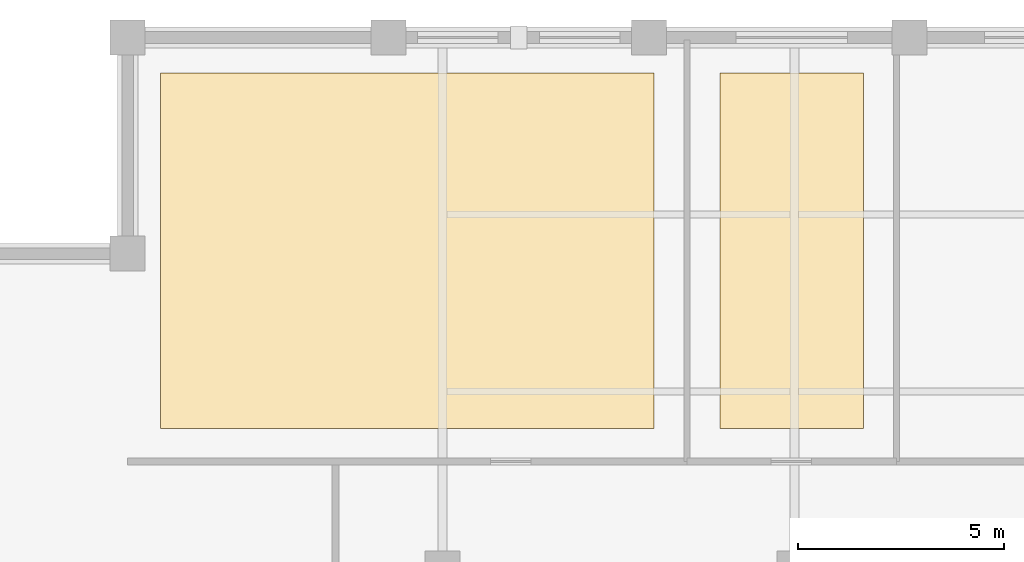
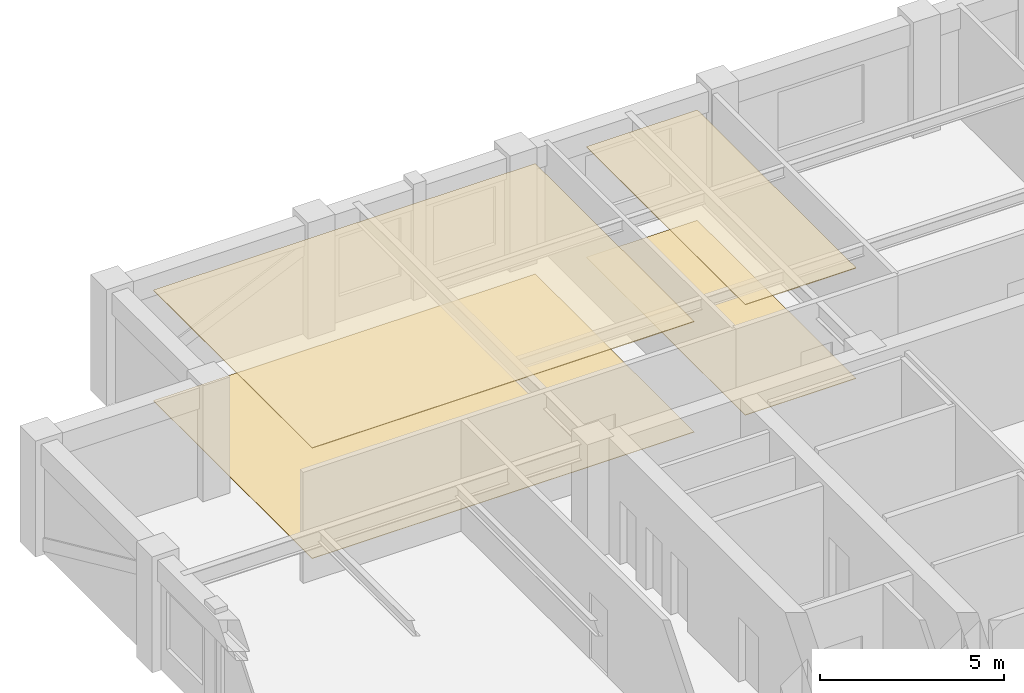
# One storey, part 11 of 11: 4 coverings.
"""IFC4 building model written with IfcOpenShell, lengths in metres."""

from ifc_helpers import new_model, si_unit, direction, frame, origin, place, context, subcontext, project, spatial, polyline, outline, extrude, material, layer, layer_set, type_object, element, save


model = new_model("IFC4")

# Units and contexts
model_context = context("Model", 3, precision=1e-05, world=origin(), true_north=direction((0.0, 1.0)))
body_context = subcontext(model_context, "Body", "Model", "MODEL_VIEW")
ifc_project = project(units=[si_unit("LENGTHUNIT", "METRE"), si_unit("AREAUNIT", "SQUARE_METRE"), si_unit("VOLUMEUNIT", "CUBIC_METRE"), si_unit("PLANEANGLEUNIT", "RADIAN"), si_unit("MASSUNIT", "GRAM", prefix="KILO")], contexts=[model_context])

# Site, building, storey
site_placement = place(None, origin())
site = spatial("IfcSite", under=ifc_project, at=site_placement, CompositionType="ELEMENT")
building_placement = place(site_placement, origin())
building = spatial("IfcBuilding", under=site, at=building_placement, Name="Nhamokura Convention Tower", CompositionType="ELEMENT")
storey_placement = place(building_placement, frame((0.0, 0.0, 198.449951171875)))
storey = spatial("IfcBuildingStorey", under=building, at=storey_placement, Name="L48", CompositionType="ELEMENT", Elevation=198.449951171875)

# Coverings
ifc_material_1 = material(Name="Mineral-fibre acoustic ceiling tile", Category="gypsum")
ifc_layer_1 = layer(ifc_material_1, 0.02490234375)
ifc_layer_set_1 = layer_set([ifc_layer_1], Name="AcousticTileCeiling_25")
covering_type_1 = type_object("IfcCoveringType", Name="AcousticTileCeiling_25", PredefinedType="CEILING", material=ifc_layer_set_1)
covering_1_placement = place(storey_placement, frame((0.0, 0.0, 3.66015625)))
element("IfcCovering", 1, at=covering_1_placement, inside=storey, type_object=covering_type_1, Name="L48 Suspended Ceiling 05", PredefinedType="CEILING", context=body_context, shape_type="SweptSolid", body=[
    extrude(outline(polyline([(13.800048828125, 46.75), (25.791748046875, 46.75), (25.791748046875, 55.389892578125), (13.800048828125, 55.389892578125), (13.800048828125, 46.75)])), origin(), (0.0, 0.0, 1.0), 0.02490234375),
])
covering_2_placement = place(storey_placement, frame((0.0, 0.0, 3.66015625)))
element("IfcCovering", 2, at=covering_2_placement, inside=storey, type_object=covering_type_1, Name="L48 Suspended Ceiling 06", PredefinedType="CEILING", context=body_context, shape_type="SweptSolid", body=[
    extrude(outline(polyline([(27.3916015625, 46.75), (30.875, 46.75), (30.875, 55.389892578125), (27.3916015625, 55.389892578125), (27.3916015625, 46.75)])), origin(), (0.0, 0.0, 1.0), 0.02490234375),
])
ifc_material_2 = material(Name="Acoustic woven hospitality carpet", Category="wood")
ifc_layer_2 = layer(ifc_material_2, 0.014892578125)
ifc_layer_set_2 = layer_set([ifc_layer_2], Name="WovenCarpetFlooring_15")
covering_type_2 = type_object("IfcCoveringType", Name="WovenCarpetFlooring_15", PredefinedType="FLOORING", material=ifc_layer_set_2)
covering_3_placement = place(storey_placement, origin())
element("IfcCovering", 3, at=covering_3_placement, inside=storey, type_object=covering_type_2, Name="L48 Finish Flooring 05", PredefinedType="FLOORING", context=body_context, shape_type="SweptSolid", body=[
    extrude(outline(polyline([(13.800048828125, 46.75), (25.791748046875, 46.75), (25.791748046875, 55.389892578125), (13.800048828125, 55.389892578125), (13.800048828125, 46.75)])), origin(), (0.0, 0.0, 1.0), 0.01513671875),
])
covering_4_placement = place(storey_placement, origin())
element("IfcCovering", 4, at=covering_4_placement, inside=storey, type_object=covering_type_2, Name="L48 Finish Flooring 06", PredefinedType="FLOORING", context=body_context, shape_type="SweptSolid", body=[
    extrude(outline(polyline([(27.3916015625, 46.75), (30.875, 46.75), (30.875, 55.389892578125), (27.3916015625, 55.389892578125), (27.3916015625, 46.75)])), origin(), (0.0, 0.0, 1.0), 0.01513671875),
])

save(model, "model.ifc")
